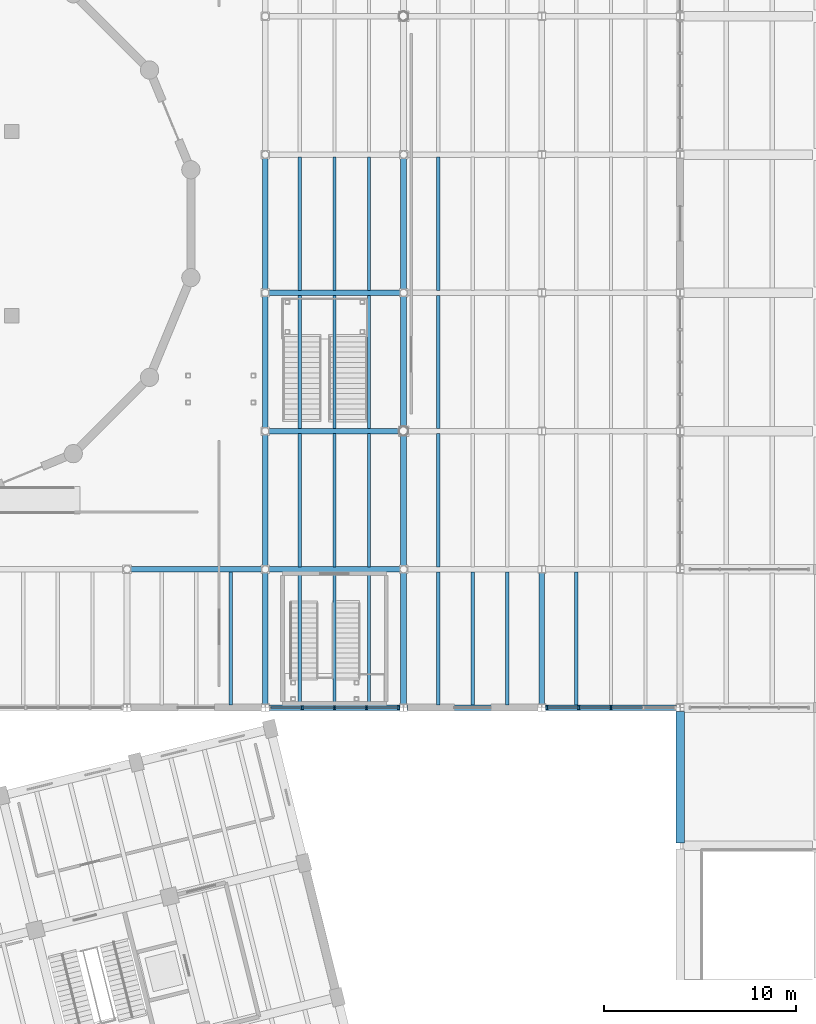
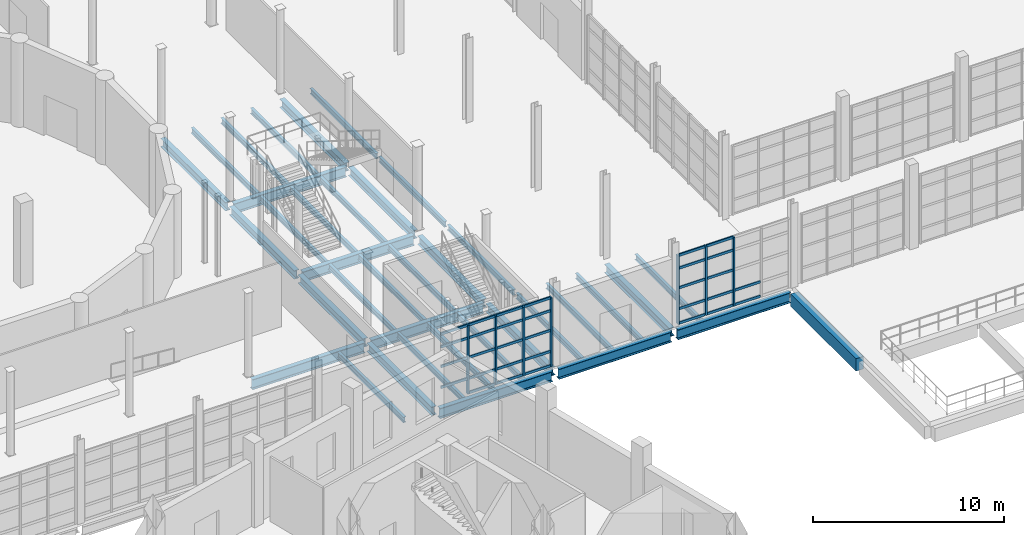
# One storey, part 26 of 79: 38 members, 37 beams, 2 elements without a shape of their own.
"""IFC4 building model written with IfcOpenShell, lengths in metres."""

from ifc_helpers import new_model, si_unit, direction, frame, origin, origin_2d, place, context, subcontext, project, spatial, rectangle, i_section, extrude, material, material_profile, profile_set, type_object, element, aggregate, save


model = new_model("IFC4")

# Units and contexts
model_context = context("Model", 3, precision=1e-05, world=origin(), true_north=direction((0.0, 1.0)))
body_context = subcontext(model_context, "Body", "Model", "MODEL_VIEW")
ifc_project = project(units=[si_unit("LENGTHUNIT", "METRE"), si_unit("AREAUNIT", "SQUARE_METRE"), si_unit("VOLUMEUNIT", "CUBIC_METRE"), si_unit("PLANEANGLEUNIT", "RADIAN"), si_unit("MASSUNIT", "GRAM", prefix="KILO")], contexts=[model_context])

# Site, building, storey
site_placement = place(None, origin())
site = spatial("IfcSite", under=ifc_project, at=site_placement, CompositionType="ELEMENT")
building_placement = place(site_placement, origin())
building = spatial("IfcBuilding", under=site, at=building_placement, Name="Qiaolan Assembly House", CompositionType="ELEMENT")
storey_placement = place(building_placement, origin())
storey = spatial("IfcBuildingStorey", under=building, at=storey_placement, Name="L00", CompositionType="ELEMENT", Elevation=0.0)

# Beams
ifc_material_1 = material(Name="Concrete C40/50", Category="concrete")
ifc_material_profile_1 = material_profile(ifc_material_1, rectangle(XDim=0.449951171875, YDim=0.800048828125, at=origin_2d()), Name="RCB 450x800")
ifc_profile_set_1 = profile_set([ifc_material_profile_1], Name="Concrete C40/50")
beam_type_1 = type_object("IfcBeamType", Name="BM-RC-450x800", PredefinedType="BEAM", material=ifc_profile_set_1)
beam_1_placement = place(storey_placement, frame((108.0, 28.9599609375, -0.739990234375), z_axis=(0.0, 1.0, 0.0), x_axis=(-1.0, 0.0, 0.0)))
element("IfcBeam", 1, at=beam_1_placement, inside=storey, type_object=beam_type_1, Name="GB-03 beam BMY-APR0-L00-00-01", PredefinedType="BEAM", context=body_context, shape_type="SweptSolid", body=[
    extrude(rectangle(XDim=0.449951171875, YDim=0.800048828125, at=origin_2d()), origin(), (0.0, 0.0, 1.0), 6.85009765625),
])
ifc_material_2 = material(Name="Steel Q355B", Category="steel")
ifc_material_profile_2 = material_profile(ifc_material_2, i_section(OverallWidth=0.300048828125, OverallDepth=0.5400390625, WebThickness=0.010986328125, FlangeThickness=0.01806640625, FilletRadius=0.02001953125, at=origin_2d()), Name="HM 540x300x11x18")
ifc_profile_set_2 = profile_set([ifc_material_profile_2], Name="Steel Q355B")
beam_type_2 = type_object("IfcBeamType", Name="BM-STL-HM540", PredefinedType="BEAM", material=ifc_profile_set_2)
beam_2_placement = place(storey_placement, frame((86.39990234375, 36.18994140625, -0.570068359375), z_axis=(0.0, 1.0, 0.0), x_axis=(-1.0, 0.0, 0.0)))
element("IfcBeam", 2, at=beam_2_placement, inside=storey, type_object=beam_type_2, Name="SB-12 beam BMY-HL-L00-09-00", PredefinedType="BEAM", context=body_context, shape_type="SweptSolid", body=[
    extrude(i_section(OverallWidth=0.300048828125, OverallDepth=0.5400390625, WebThickness=0.010986328125, FlangeThickness=0.01806640625, FilletRadius=0.02001953125, at=origin_2d()), origin(), (0.0, 0.0, 1.0), 6.81689453125),
])
for number, where, z_axis, x_axis, name in (
    (3, (86.39990234375, 43.393310546875, -0.570068359375), (0.0, 1.0, 0.0), (-1.0, 0.0, 0.0), "SB-12 beam BMY-HL-L00-09-01"),
    (4, (86.39990234375, 50.59326171875, -0.570068359375), (0.0, 1.0, 0.0), (-1.0, 0.0, 0.0), "SB-12 beam BMY-HL-L00-09-02"),
    (5, (86.39990234375, 57.793212890625, -0.570068359375), (0.0, 1.0, 0.0), (-1.0, 0.0, 0.0), "SB-12 beam BMY-HL-L00-09-03"),
):
    element("IfcBeam", number, at=place(storey_placement, frame(where, z_axis=z_axis, x_axis=x_axis)), inside=storey, type_object=beam_type_2, Name=name, PredefinedType="BEAM", context=body_context, shape_type="SweptSolid", body=[
        extrude(i_section(OverallWidth=0.300048828125, OverallDepth=0.5400390625, WebThickness=0.010986328125, FlangeThickness=0.01806640625, FilletRadius=0.02001953125, at=origin_2d()), origin(), (0.0, 0.0, 1.0), 6.8134765625),
    ])
beam_3_placement = place(storey_placement, frame((93.60009765625, 36.18994140625, -0.570068359375), z_axis=(0.0, 1.0, 0.0), x_axis=(-1.0, 0.0, 0.0)))
element("IfcBeam", 6, at=beam_3_placement, inside=storey, type_object=beam_type_2, Name="SB-12 beam BMY-HL-L00-10-00", PredefinedType="BEAM", context=body_context, shape_type="SweptSolid", body=[
    extrude(i_section(OverallWidth=0.300048828125, OverallDepth=0.5400390625, WebThickness=0.010986328125, FlangeThickness=0.01806640625, FilletRadius=0.02001953125, at=origin_2d()), origin(), (0.0, 0.0, 1.0), 6.81689453125),
])
for number, where, z_axis, x_axis, name in (
    (7, (93.60009765625, 43.393310546875, -0.570068359375), (0.0, 1.0, 0.0), (-1.0, 0.0, 0.0), "SB-12 beam BMY-HL-L00-10-01"),
    (8, (93.60009765625, 50.64404296875, -0.570068359375), (0.0, 1.0, 0.0), (-1.0, 0.0, 0.0), "SB-12 beam BMY-HL-L00-10-02"),
):
    element("IfcBeam", number, at=place(storey_placement, frame(where, z_axis=z_axis, x_axis=x_axis)), inside=storey, type_object=beam_type_2, Name=name, PredefinedType="BEAM", context=body_context, shape_type="SweptSolid", body=[
        extrude(i_section(OverallWidth=0.300048828125, OverallDepth=0.5400390625, WebThickness=0.010986328125, FlangeThickness=0.01806640625, FilletRadius=0.02001953125, at=origin_2d()), origin(), (0.0, 0.0, 1.0), 6.7626953125),
    ])
beam_4_placement = place(storey_placement, frame((93.60009765625, 57.793212890625, -0.570068359375), z_axis=(0.0, 1.0, 0.0), x_axis=(-1.0, 0.0, 0.0)))
element("IfcBeam", 9, at=beam_4_placement, inside=storey, type_object=beam_type_2, Name="SB-12 beam BMY-HL-L00-10-03", PredefinedType="BEAM", context=body_context, shape_type="SweptSolid", body=[
    extrude(i_section(OverallWidth=0.300048828125, OverallDepth=0.5400390625, WebThickness=0.010986328125, FlangeThickness=0.01806640625, FilletRadius=0.02001953125, at=origin_2d()), origin(), (0.0, 0.0, 1.0), 6.8134765625),
])
beam_5_placement = place(storey_placement, frame((100.800048828125, 36.18994140625, -0.570068359375), z_axis=(0.0, 1.0, 0.0), x_axis=(-1.0, 0.0, 0.0)))
element("IfcBeam", 10, at=beam_5_placement, inside=storey, type_object=beam_type_2, Name="SB-12 beam BMY-HL-L00-11-00", PredefinedType="BEAM", context=body_context, shape_type="SweptSolid", body=[
    extrude(i_section(OverallWidth=0.300048828125, OverallDepth=0.5400390625, WebThickness=0.010986328125, FlangeThickness=0.01806640625, FilletRadius=0.02001953125, at=origin_2d()), origin(), (0.0, 0.0, 1.0), 6.820068359375),
])
ifc_material_profile_3 = material_profile(ifc_material_2, i_section(OverallWidth=0.280029296875, OverallDepth=0.64990234375, WebThickness=0.011962890625, FlangeThickness=0.02197265625, FilletRadius=0.02197265625, at=origin_2d()), Name="HN 650x280x12x22")
ifc_profile_set_3 = profile_set([ifc_material_profile_3], Name="Steel Q355B")
beam_type_3 = type_object("IfcBeamType", Name="BM-STL-HN650", PredefinedType="BEAM", material=ifc_profile_set_3)
beam_6_placement = place(storey_placement, frame((86.590087890625, 36.0, -0.625), z_axis=(1.0, 0.0, 0.0), x_axis=(0.0, 1.0, 0.0)))
element("IfcBeam", 11, at=beam_6_placement, inside=storey, type_object=beam_type_3, Name="SB-10 beam BMX-HL-L00-09-00", PredefinedType="BEAM", context=body_context, shape_type="SweptSolid", body=[
    extrude(i_section(OverallWidth=0.280029296875, OverallDepth=0.64990234375, WebThickness=0.011962890625, FlangeThickness=0.02197265625, FilletRadius=0.02197265625, at=origin_2d()), origin(), (0.0, 0.0, 1.0), 6.81982421875),
])
for number, where, z_axis, x_axis, name in (
    (12, (93.7900390625, 36.0, -0.625), (1.0, 0.0, 0.0), (0.0, 1.0, 0.0), "SB-10 beam BMX-HL-L00-10-00"),
    (13, (100.989990234375, 36.0, -0.625), (1.0, 0.0, 0.0), (0.0, 1.0, 0.0), "SB-10 beam BMX-HL-L00-11-00"),
):
    element("IfcBeam", number, at=place(storey_placement, frame(where, z_axis=z_axis, x_axis=x_axis)), inside=storey, type_object=beam_type_3, Name=name, PredefinedType="BEAM", context=body_context, shape_type="SweptSolid", body=[
        extrude(i_section(OverallWidth=0.280029296875, OverallDepth=0.64990234375, WebThickness=0.011962890625, FlangeThickness=0.02197265625, FilletRadius=0.02197265625, at=origin_2d()), origin(), (0.0, 0.0, 1.0), 6.820068359375),
    ])
for number, where, z_axis, x_axis, name in (
    (14, (79.393310546875, 43.199951171875, -0.625), (1.0, 0.0, 0.0), (0.0, 1.0, 0.0), "SB-10 beam BMX-HL-L00-08-01"),
    (15, (86.59326171875, 43.199951171875, -0.625), (1.0, 0.0, 0.0), (0.0, 1.0, 0.0), "SB-10 beam BMX-HL-L00-09-01"),
):
    element("IfcBeam", number, at=place(storey_placement, frame(where, z_axis=z_axis, x_axis=x_axis)), inside=storey, type_object=beam_type_3, Name=name, PredefinedType="BEAM", context=body_context, shape_type="SweptSolid", body=[
        extrude(i_section(OverallWidth=0.280029296875, OverallDepth=0.64990234375, WebThickness=0.011962890625, FlangeThickness=0.02197265625, FilletRadius=0.02197265625, at=origin_2d()), origin(), (0.0, 0.0, 1.0), 6.8134765625),
    ])
beam_7_placement = place(storey_placement, frame((86.59326171875, 50.39990234375, -0.625), z_axis=(1.0, 0.0, 0.0), x_axis=(0.0, 1.0, 0.0)))
element("IfcBeam", 16, at=beam_7_placement, inside=storey, type_object=beam_type_3, Name="SB-10 beam BMX-HL-L00-09-02", PredefinedType="BEAM", context=body_context, shape_type="SweptSolid", body=[
    extrude(i_section(OverallWidth=0.280029296875, OverallDepth=0.64990234375, WebThickness=0.011962890625, FlangeThickness=0.02197265625, FilletRadius=0.02197265625, at=origin_2d()), origin(), (0.0, 0.0, 1.0), 6.7626953125),
])
beam_8_placement = place(storey_placement, frame((86.59326171875, 57.60009765625, -0.625), z_axis=(1.0, 0.0, 0.0), x_axis=(0.0, 1.0, 0.0)))
element("IfcBeam", 17, at=beam_8_placement, inside=storey, type_object=beam_type_3, Name="SB-10 beam BMX-HL-L00-09-03", PredefinedType="BEAM", context=body_context, shape_type="SweptSolid", body=[
    extrude(i_section(OverallWidth=0.280029296875, OverallDepth=0.64990234375, WebThickness=0.011962890625, FlangeThickness=0.02197265625, FilletRadius=0.02197265625, at=origin_2d()), origin(), (0.0, 0.0, 1.0), 6.8134765625),
])

# Curtain wall, members
ifc_material_3 = material(Name="Anodised bronze aluminium", Category="aluminium")
curtain_wall_type = type_object("IfcCurtainWallType", Name="CW-HALL-MAIN-540", PredefinedType="NOTDEFINED", material=ifc_material_3)
curtain_wall_1_placement = place(storey_placement, origin())
curtain_wall_1 = element("IfcCurtainWall", 18, at=curtain_wall_1_placement, inside=storey, type_object=curtain_wall_type, Name="CW-01 Hall South plaza curtain wall L00-9", PredefinedType="NOTDEFINED")
ifc_material_profile_4 = material_profile(ifc_material_3, rectangle(XDim=0.092041015625, YDim=0.219970703125, at=origin_2d()), Name="MUL 92x220")
ifc_profile_set_4 = profile_set([ifc_material_profile_4], Name="Anodised bronze aluminium")
member_type_1 = type_object("IfcMemberType", Name="CW-HALL-MAIN-540-MUL", PredefinedType="MULLION", material=ifc_profile_set_4)
member_1_placement = place(storey_placement, frame((88.324951171875, 36.0, 0.0), z_axis=(0.0, 0.0, 1.0), x_axis=(1.0, 0.0, 0.0)))
member_1 = element("IfcMember", 19, at=member_1_placement, type_object=member_type_1, Name="ML-01 mullion CW-HALL-S-L00-08-2", PredefinedType="MULLION", context=body_context, shape_type="SweptSolid", body=[
    extrude(rectangle(XDim=0.092041015625, YDim=0.219970703125, at=origin_2d()), origin(), (0.0, 0.0, 1.0), 4.39990234375),
])
member_2_placement = place(storey_placement, frame((90.0, 36.0, 0.0), z_axis=(0.0, 0.0, 1.0), x_axis=(1.0, 0.0, 0.0)))
member_2 = element("IfcMember", 20, at=member_2_placement, type_object=member_type_1, Name="ML-01 mullion CW-HALL-S-L00-08-3", PredefinedType="MULLION", context=body_context, shape_type="SweptSolid", body=[
    extrude(rectangle(XDim=0.092041015625, YDim=0.219970703125, at=origin_2d()), origin(), (0.0, 0.0, 1.0), 4.39990234375),
])
member_3_placement = place(storey_placement, frame((91.675048828125, 36.0, 0.0), z_axis=(0.0, 0.0, 1.0), x_axis=(1.0, 0.0, 0.0)))
member_3 = element("IfcMember", 21, at=member_3_placement, type_object=member_type_1, Name="ML-01 mullion CW-HALL-S-L00-08-4", PredefinedType="MULLION", context=body_context, shape_type="SweptSolid", body=[
    extrude(rectangle(XDim=0.092041015625, YDim=0.219970703125, at=origin_2d()), origin(), (0.0, 0.0, 1.0), 4.39990234375),
])
member_4_placement = place(storey_placement, frame((93.35009765625, 36.0, 0.0), z_axis=(0.0, 0.0, 1.0), x_axis=(1.0, 0.0, 0.0)))
member_4 = element("IfcMember", 22, at=member_4_placement, type_object=member_type_1, Name="ML-01 mullion CW-HALL-S-L00-08-5", PredefinedType="MULLION", context=body_context, shape_type="SweptSolid", body=[
    extrude(rectangle(XDim=0.092041015625, YDim=0.219970703125, at=origin_2d()), origin(), (0.0, 0.0, 1.0), 4.39990234375),
])

curtain_wall_2_placement = place(storey_placement, origin())
curtain_wall_2 = element("IfcCurtainWall", 23, at=curtain_wall_2_placement, inside=storey, type_object=curtain_wall_type, Name="CW-01 Hall South plaza curtain wall L00-11", PredefinedType="NOTDEFINED")
member_5_placement = place(storey_placement, frame((101.050048828125, 36.0, 0.0), z_axis=(0.0, 0.0, 1.0), x_axis=(1.0, 0.0, 0.0)))
member_5 = element("IfcMember", 24, at=member_5_placement, type_object=member_type_1, Name="ML-01 mullion CW-HALL-S-L00-10-1", PredefinedType="MULLION", context=body_context, shape_type="SweptSolid", body=[
    extrude(rectangle(XDim=0.092041015625, YDim=0.219970703125, at=origin_2d()), origin(), (0.0, 0.0, 1.0), 4.39990234375),
])
member_6_placement = place(storey_placement, frame((102.72509765625, 36.0, 0.0), z_axis=(0.0, 0.0, 1.0), x_axis=(1.0, 0.0, 0.0)))
member_6 = element("IfcMember", 25, at=member_6_placement, type_object=member_type_1, Name="ML-01 mullion CW-HALL-S-L00-10-2", PredefinedType="MULLION", context=body_context, shape_type="SweptSolid", body=[
    extrude(rectangle(XDim=0.092041015625, YDim=0.219970703125, at=origin_2d()), origin(), (0.0, 0.0, 1.0), 4.39990234375),
])
member_7_placement = place(storey_placement, frame((104.39990234375, 36.0, 0.0), z_axis=(0.0, 0.0, 1.0), x_axis=(1.0, 0.0, 0.0)))
member_7 = element("IfcMember", 26, at=member_7_placement, type_object=member_type_1, Name="ML-01 mullion CW-HALL-S-L00-10-3", PredefinedType="MULLION", context=body_context, shape_type="SweptSolid", body=[
    extrude(rectangle(XDim=0.092041015625, YDim=0.219970703125, at=origin_2d()), origin(), (0.0, 0.0, 1.0), 4.39990234375),
])

# Member
ifc_material_profile_5 = material_profile(ifc_material_3, rectangle(XDim=0.08203125, YDim=0.159912109375, at=origin_2d()), Name="TRN 82x160")
ifc_profile_set_5 = profile_set([ifc_material_profile_5], Name="Anodised bronze aluminium")
member_type_2 = type_object("IfcMemberType", Name="CW-HALL-MAIN-540-TRN", PredefinedType="USERDEFINED", material=ifc_profile_set_5)
member_8_placement = place(storey_placement, frame((86.696044921875, 36.0, 0.949951171875), z_axis=(1.0, 0.0, 0.0), x_axis=(0.0, 1.0, 0.0)))
member_8 = element("IfcMember", 27, at=member_8_placement, type_object=member_type_2, Name="TR-01 transom CW-HALL-S-L00-08-1-2", ObjectType="TRANSOM", PredefinedType="USERDEFINED", context=body_context, shape_type="SweptSolid", body=[
    extrude(rectangle(XDim=0.08203125, YDim=0.159912109375, at=origin_2d()), origin(), (0.0, 0.0, 1.0), 1.5830078125),
])

member_9_placement = place(storey_placement, frame((86.696044921875, 36.0, 2.2880859375), z_axis=(1.0, 0.0, 0.0), x_axis=(0.0, 1.0, 0.0)))
member_9 = element("IfcMember", 28, at=member_9_placement, type_object=member_type_2, Name="TR-01 transom CW-HALL-S-L00-08-1-3", ObjectType="TRANSOM", PredefinedType="USERDEFINED", context=body_context, shape_type="SweptSolid", body=[
    extrude(rectangle(XDim=0.08203125, YDim=0.159912109375, at=origin_2d()), origin(), (0.0, 0.0, 1.0), 1.5830078125),
])

member_10_placement = place(storey_placement, frame((86.696044921875, 36.0, 3.550048828125), z_axis=(1.0, 0.0, 0.0), x_axis=(0.0, 1.0, 0.0)))
member_10 = element("IfcMember", 29, at=member_10_placement, type_object=member_type_2, Name="TR-01 transom CW-HALL-S-L00-08-1-4", ObjectType="TRANSOM", PredefinedType="USERDEFINED", context=body_context, shape_type="SweptSolid", body=[
    extrude(rectangle(XDim=0.08203125, YDim=0.159912109375, at=origin_2d()), origin(), (0.0, 0.0, 1.0), 1.5830078125),
])

member_11_placement = place(storey_placement, frame((86.696044921875, 36.0, 4.3701171875), z_axis=(1.0, 0.0, 0.0), x_axis=(0.0, 1.0, 0.0)))
member_11 = element("IfcMember", 30, at=member_11_placement, type_object=member_type_2, Name="TR-01 transom CW-HALL-S-L00-08-1-5", ObjectType="TRANSOM", PredefinedType="USERDEFINED", context=body_context, shape_type="SweptSolid", body=[
    extrude(rectangle(XDim=0.08203125, YDim=0.159912109375, at=origin_2d()), origin(), (0.0, 0.0, 1.0), 1.5830078125),
])

member_12_placement = place(storey_placement, frame((88.37109375, 36.0, 0.030029296875), z_axis=(1.0, 0.0, 0.0), x_axis=(0.0, 1.0, 0.0)))
member_12 = element("IfcMember", 31, at=member_12_placement, type_object=member_type_2, Name="TR-01 transom CW-HALL-S-L00-08-2-1", ObjectType="TRANSOM", PredefinedType="USERDEFINED", context=body_context, shape_type="SweptSolid", body=[
    extrude(rectangle(XDim=0.08203125, YDim=0.159912109375, at=origin_2d()), origin(), (0.0, 0.0, 1.0), 1.5830078125),
])

member_13_placement = place(storey_placement, frame((88.37109375, 36.0, 0.949951171875), z_axis=(1.0, 0.0, 0.0), x_axis=(0.0, 1.0, 0.0)))
member_13 = element("IfcMember", 32, at=member_13_placement, type_object=member_type_2, Name="TR-01 transom CW-HALL-S-L00-08-2-2", ObjectType="TRANSOM", PredefinedType="USERDEFINED", context=body_context, shape_type="SweptSolid", body=[
    extrude(rectangle(XDim=0.08203125, YDim=0.159912109375, at=origin_2d()), origin(), (0.0, 0.0, 1.0), 1.5830078125),
])

member_14_placement = place(storey_placement, frame((88.37109375, 36.0, 2.2880859375), z_axis=(1.0, 0.0, 0.0), x_axis=(0.0, 1.0, 0.0)))
member_14 = element("IfcMember", 33, at=member_14_placement, type_object=member_type_2, Name="TR-01 transom CW-HALL-S-L00-08-2-3", ObjectType="TRANSOM", PredefinedType="USERDEFINED", context=body_context, shape_type="SweptSolid", body=[
    extrude(rectangle(XDim=0.08203125, YDim=0.159912109375, at=origin_2d()), origin(), (0.0, 0.0, 1.0), 1.5830078125),
])

member_15_placement = place(storey_placement, frame((88.37109375, 36.0, 3.550048828125), z_axis=(1.0, 0.0, 0.0), x_axis=(0.0, 1.0, 0.0)))
member_15 = element("IfcMember", 34, at=member_15_placement, type_object=member_type_2, Name="TR-01 transom CW-HALL-S-L00-08-2-4", ObjectType="TRANSOM", PredefinedType="USERDEFINED", context=body_context, shape_type="SweptSolid", body=[
    extrude(rectangle(XDim=0.08203125, YDim=0.159912109375, at=origin_2d()), origin(), (0.0, 0.0, 1.0), 1.5830078125),
])

member_16_placement = place(storey_placement, frame((88.37109375, 36.0, 4.3701171875), z_axis=(1.0, 0.0, 0.0), x_axis=(0.0, 1.0, 0.0)))
member_16 = element("IfcMember", 35, at=member_16_placement, type_object=member_type_2, Name="TR-01 transom CW-HALL-S-L00-08-2-5", ObjectType="TRANSOM", PredefinedType="USERDEFINED", context=body_context, shape_type="SweptSolid", body=[
    extrude(rectangle(XDim=0.08203125, YDim=0.159912109375, at=origin_2d()), origin(), (0.0, 0.0, 1.0), 1.5830078125),
])

member_17_placement = place(storey_placement, frame((90.0458984375, 36.0, 0.030029296875), z_axis=(1.0, 0.0, 0.0), x_axis=(0.0, 1.0, 0.0)))
member_17 = element("IfcMember", 36, at=member_17_placement, type_object=member_type_2, Name="TR-01 transom CW-HALL-S-L00-08-3-1", ObjectType="TRANSOM", PredefinedType="USERDEFINED", context=body_context, shape_type="SweptSolid", body=[
    extrude(rectangle(XDim=0.08203125, YDim=0.159912109375, at=origin_2d()), origin(), (0.0, 0.0, 1.0), 1.5830078125),
])

member_18_placement = place(storey_placement, frame((90.0458984375, 36.0, 0.949951171875), z_axis=(1.0, 0.0, 0.0), x_axis=(0.0, 1.0, 0.0)))
member_18 = element("IfcMember", 37, at=member_18_placement, type_object=member_type_2, Name="TR-01 transom CW-HALL-S-L00-08-3-2", ObjectType="TRANSOM", PredefinedType="USERDEFINED", context=body_context, shape_type="SweptSolid", body=[
    extrude(rectangle(XDim=0.08203125, YDim=0.159912109375, at=origin_2d()), origin(), (0.0, 0.0, 1.0), 1.5830078125),
])

member_19_placement = place(storey_placement, frame((90.0458984375, 36.0, 2.2880859375), z_axis=(1.0, 0.0, 0.0), x_axis=(0.0, 1.0, 0.0)))
member_19 = element("IfcMember", 38, at=member_19_placement, type_object=member_type_2, Name="TR-01 transom CW-HALL-S-L00-08-3-3", ObjectType="TRANSOM", PredefinedType="USERDEFINED", context=body_context, shape_type="SweptSolid", body=[
    extrude(rectangle(XDim=0.08203125, YDim=0.159912109375, at=origin_2d()), origin(), (0.0, 0.0, 1.0), 1.5830078125),
])

member_20_placement = place(storey_placement, frame((90.0458984375, 36.0, 3.550048828125), z_axis=(1.0, 0.0, 0.0), x_axis=(0.0, 1.0, 0.0)))
member_20 = element("IfcMember", 39, at=member_20_placement, type_object=member_type_2, Name="TR-01 transom CW-HALL-S-L00-08-3-4", ObjectType="TRANSOM", PredefinedType="USERDEFINED", context=body_context, shape_type="SweptSolid", body=[
    extrude(rectangle(XDim=0.08203125, YDim=0.159912109375, at=origin_2d()), origin(), (0.0, 0.0, 1.0), 1.5830078125),
])

member_21_placement = place(storey_placement, frame((90.0458984375, 36.0, 4.3701171875), z_axis=(1.0, 0.0, 0.0), x_axis=(0.0, 1.0, 0.0)))
member_21 = element("IfcMember", 40, at=member_21_placement, type_object=member_type_2, Name="TR-01 transom CW-HALL-S-L00-08-3-5", ObjectType="TRANSOM", PredefinedType="USERDEFINED", context=body_context, shape_type="SweptSolid", body=[
    extrude(rectangle(XDim=0.08203125, YDim=0.159912109375, at=origin_2d()), origin(), (0.0, 0.0, 1.0), 1.5830078125),
])

member_22_placement = place(storey_placement, frame((91.720947265625, 36.0, 0.030029296875), z_axis=(1.0, 0.0, 0.0), x_axis=(0.0, 1.0, 0.0)))
member_22 = element("IfcMember", 41, at=member_22_placement, type_object=member_type_2, Name="TR-01 transom CW-HALL-S-L00-08-4-1", ObjectType="TRANSOM", PredefinedType="USERDEFINED", context=body_context, shape_type="SweptSolid", body=[
    extrude(rectangle(XDim=0.08203125, YDim=0.159912109375, at=origin_2d()), origin(), (0.0, 0.0, 1.0), 1.5830078125),
])

member_23_placement = place(storey_placement, frame((91.720947265625, 36.0, 0.949951171875), z_axis=(1.0, 0.0, 0.0), x_axis=(0.0, 1.0, 0.0)))
member_23 = element("IfcMember", 42, at=member_23_placement, type_object=member_type_2, Name="TR-01 transom CW-HALL-S-L00-08-4-2", ObjectType="TRANSOM", PredefinedType="USERDEFINED", context=body_context, shape_type="SweptSolid", body=[
    extrude(rectangle(XDim=0.08203125, YDim=0.159912109375, at=origin_2d()), origin(), (0.0, 0.0, 1.0), 1.5830078125),
])

member_24_placement = place(storey_placement, frame((91.720947265625, 36.0, 2.2880859375), z_axis=(1.0, 0.0, 0.0), x_axis=(0.0, 1.0, 0.0)))
member_24 = element("IfcMember", 43, at=member_24_placement, type_object=member_type_2, Name="TR-01 transom CW-HALL-S-L00-08-4-3", ObjectType="TRANSOM", PredefinedType="USERDEFINED", context=body_context, shape_type="SweptSolid", body=[
    extrude(rectangle(XDim=0.08203125, YDim=0.159912109375, at=origin_2d()), origin(), (0.0, 0.0, 1.0), 1.5830078125),
])

member_25_placement = place(storey_placement, frame((91.720947265625, 36.0, 3.550048828125), z_axis=(1.0, 0.0, 0.0), x_axis=(0.0, 1.0, 0.0)))
member_25 = element("IfcMember", 44, at=member_25_placement, type_object=member_type_2, Name="TR-01 transom CW-HALL-S-L00-08-4-4", ObjectType="TRANSOM", PredefinedType="USERDEFINED", context=body_context, shape_type="SweptSolid", body=[
    extrude(rectangle(XDim=0.08203125, YDim=0.159912109375, at=origin_2d()), origin(), (0.0, 0.0, 1.0), 1.5830078125),
])

member_26_placement = place(storey_placement, frame((91.720947265625, 36.0, 4.3701171875), z_axis=(1.0, 0.0, 0.0), x_axis=(0.0, 1.0, 0.0)))
member_26 = element("IfcMember", 45, at=member_26_placement, type_object=member_type_2, Name="TR-01 transom CW-HALL-S-L00-08-4-5", ObjectType="TRANSOM", PredefinedType="USERDEFINED", context=body_context, shape_type="SweptSolid", body=[
    extrude(rectangle(XDim=0.08203125, YDim=0.159912109375, at=origin_2d()), origin(), (0.0, 0.0, 1.0), 1.5830078125),
])

aggregate(curtain_wall_1, [member_1, member_2, member_3, member_4, member_8, member_9, member_10, member_11, member_12, member_13, member_14, member_15, member_16, member_17, member_18, member_19, member_20, member_21, member_22, member_23, member_24, member_25, member_26])

member_27_placement = place(storey_placement, frame((101.095947265625, 36.0, 0.030029296875), z_axis=(1.0, 0.0, 0.0), x_axis=(0.0, 1.0, 0.0)))
member_27 = element("IfcMember", 46, at=member_27_placement, type_object=member_type_2, Name="TR-01 transom CW-HALL-S-L00-10-1-1", ObjectType="TRANSOM", PredefinedType="USERDEFINED", context=body_context, shape_type="SweptSolid", body=[
    extrude(rectangle(XDim=0.08203125, YDim=0.159912109375, at=origin_2d()), origin(), (0.0, 0.0, 1.0), 1.5830078125),
])

member_28_placement = place(storey_placement, frame((101.095947265625, 36.0, 0.949951171875), z_axis=(1.0, 0.0, 0.0), x_axis=(0.0, 1.0, 0.0)))
member_28 = element("IfcMember", 47, at=member_28_placement, type_object=member_type_2, Name="TR-01 transom CW-HALL-S-L00-10-1-2", ObjectType="TRANSOM", PredefinedType="USERDEFINED", context=body_context, shape_type="SweptSolid", body=[
    extrude(rectangle(XDim=0.08203125, YDim=0.159912109375, at=origin_2d()), origin(), (0.0, 0.0, 1.0), 1.5830078125),
])

member_29_placement = place(storey_placement, frame((101.095947265625, 36.0, 2.2880859375), z_axis=(1.0, 0.0, 0.0), x_axis=(0.0, 1.0, 0.0)))
member_29 = element("IfcMember", 48, at=member_29_placement, type_object=member_type_2, Name="TR-01 transom CW-HALL-S-L00-10-1-3", ObjectType="TRANSOM", PredefinedType="USERDEFINED", context=body_context, shape_type="SweptSolid", body=[
    extrude(rectangle(XDim=0.08203125, YDim=0.159912109375, at=origin_2d()), origin(), (0.0, 0.0, 1.0), 1.5830078125),
])

member_30_placement = place(storey_placement, frame((101.095947265625, 36.0, 3.550048828125), z_axis=(1.0, 0.0, 0.0), x_axis=(0.0, 1.0, 0.0)))
member_30 = element("IfcMember", 49, at=member_30_placement, type_object=member_type_2, Name="TR-01 transom CW-HALL-S-L00-10-1-4", ObjectType="TRANSOM", PredefinedType="USERDEFINED", context=body_context, shape_type="SweptSolid", body=[
    extrude(rectangle(XDim=0.08203125, YDim=0.159912109375, at=origin_2d()), origin(), (0.0, 0.0, 1.0), 1.5830078125),
])

member_31_placement = place(storey_placement, frame((101.095947265625, 36.0, 4.3701171875), z_axis=(1.0, 0.0, 0.0), x_axis=(0.0, 1.0, 0.0)))
member_31 = element("IfcMember", 50, at=member_31_placement, type_object=member_type_2, Name="TR-01 transom CW-HALL-S-L00-10-1-5", ObjectType="TRANSOM", PredefinedType="USERDEFINED", context=body_context, shape_type="SweptSolid", body=[
    extrude(rectangle(XDim=0.08203125, YDim=0.159912109375, at=origin_2d()), origin(), (0.0, 0.0, 1.0), 1.5830078125),
])

member_32_placement = place(storey_placement, frame((102.77099609375, 36.0, 0.030029296875), z_axis=(1.0, 0.0, 0.0), x_axis=(0.0, 1.0, 0.0)))
member_32 = element("IfcMember", 51, at=member_32_placement, type_object=member_type_2, Name="TR-01 transom CW-HALL-S-L00-10-2-1", ObjectType="TRANSOM", PredefinedType="USERDEFINED", context=body_context, shape_type="SweptSolid", body=[
    extrude(rectangle(XDim=0.08203125, YDim=0.159912109375, at=origin_2d()), origin(), (0.0, 0.0, 1.0), 1.5830078125),
])

member_33_placement = place(storey_placement, frame((102.77099609375, 36.0, 0.949951171875), z_axis=(1.0, 0.0, 0.0), x_axis=(0.0, 1.0, 0.0)))
member_33 = element("IfcMember", 52, at=member_33_placement, type_object=member_type_2, Name="TR-01 transom CW-HALL-S-L00-10-2-2", ObjectType="TRANSOM", PredefinedType="USERDEFINED", context=body_context, shape_type="SweptSolid", body=[
    extrude(rectangle(XDim=0.08203125, YDim=0.159912109375, at=origin_2d()), origin(), (0.0, 0.0, 1.0), 1.5830078125),
])

member_34_placement = place(storey_placement, frame((102.77099609375, 36.0, 2.2880859375), z_axis=(1.0, 0.0, 0.0), x_axis=(0.0, 1.0, 0.0)))
member_34 = element("IfcMember", 53, at=member_34_placement, type_object=member_type_2, Name="TR-01 transom CW-HALL-S-L00-10-2-3", ObjectType="TRANSOM", PredefinedType="USERDEFINED", context=body_context, shape_type="SweptSolid", body=[
    extrude(rectangle(XDim=0.08203125, YDim=0.159912109375, at=origin_2d()), origin(), (0.0, 0.0, 1.0), 1.5830078125),
])

member_35_placement = place(storey_placement, frame((102.77099609375, 36.0, 3.550048828125), z_axis=(1.0, 0.0, 0.0), x_axis=(0.0, 1.0, 0.0)))
member_35 = element("IfcMember", 54, at=member_35_placement, type_object=member_type_2, Name="TR-01 transom CW-HALL-S-L00-10-2-4", ObjectType="TRANSOM", PredefinedType="USERDEFINED", context=body_context, shape_type="SweptSolid", body=[
    extrude(rectangle(XDim=0.08203125, YDim=0.159912109375, at=origin_2d()), origin(), (0.0, 0.0, 1.0), 1.5830078125),
])

member_36_placement = place(storey_placement, frame((102.77099609375, 36.0, 4.3701171875), z_axis=(1.0, 0.0, 0.0), x_axis=(0.0, 1.0, 0.0)))
member_36 = element("IfcMember", 55, at=member_36_placement, type_object=member_type_2, Name="TR-01 transom CW-HALL-S-L00-10-2-5", ObjectType="TRANSOM", PredefinedType="USERDEFINED", context=body_context, shape_type="SweptSolid", body=[
    extrude(rectangle(XDim=0.08203125, YDim=0.159912109375, at=origin_2d()), origin(), (0.0, 0.0, 1.0), 1.5830078125),
])

member_37_placement = place(storey_placement, frame((104.446044921875, 36.0, 0.030029296875), z_axis=(1.0, 0.0, 0.0), x_axis=(0.0, 1.0, 0.0)))
member_37 = element("IfcMember", 56, at=member_37_placement, type_object=member_type_2, Name="TR-01 transom CW-HALL-S-L00-10-3-1", ObjectType="TRANSOM", PredefinedType="USERDEFINED", context=body_context, shape_type="SweptSolid", body=[
    extrude(rectangle(XDim=0.08203125, YDim=0.159912109375, at=origin_2d()), origin(), (0.0, 0.0, 1.0), 1.5830078125),
])

member_38_placement = place(storey_placement, frame((104.446044921875, 36.0, 0.949951171875), z_axis=(1.0, 0.0, 0.0), x_axis=(0.0, 1.0, 0.0)))
member_38 = element("IfcMember", 57, at=member_38_placement, type_object=member_type_2, Name="TR-01 transom CW-HALL-S-L00-10-3-2", ObjectType="TRANSOM", PredefinedType="USERDEFINED", context=body_context, shape_type="SweptSolid", body=[
    extrude(rectangle(XDim=0.08203125, YDim=0.159912109375, at=origin_2d()), origin(), (0.0, 0.0, 1.0), 1.5830078125),
])

aggregate(curtain_wall_2, [member_5, member_6, member_7, member_27, member_28, member_29, member_30, member_31, member_32, member_33, member_34, member_35, member_36, member_37, member_38])

# Beams
ifc_material_profile_6 = material_profile(ifc_material_2, i_section(OverallWidth=0.175048828125, OverallDepth=0.35009765625, WebThickness=0.007080078125, FlangeThickness=0.010986328125, FilletRadius=0.013916015625, at=origin_2d()), Name="HN 350x175x7x11")
ifc_profile_set_6 = profile_set([ifc_material_profile_6], Name="Steel Q355B")
beam_type_4 = type_object("IfcBeamType", Name="JST-STL-HN350", PredefinedType="JOIST", material=ifc_profile_set_6)
for number, where, z_axis, x_axis, name in (
    (58, (84.60009765625, 36.134033203125, -0.47509765625), (0.0, 1.0, 0.0), (-1.0, 0.0, 0.0), "SJ-01 beam JST-HL-L00-08-00-3"),
    (59, (88.199951171875, 36.134033203125, -0.47509765625), (0.0, 1.0, 0.0), (-1.0, 0.0, 0.0), "SJ-01 beam JST-HL-L00-09-00-1"),
    (60, (90.0, 36.134033203125, -0.47509765625), (0.0, 1.0, 0.0), (-1.0, 0.0, 0.0), "SJ-01 beam JST-HL-L00-09-00-2"),
    (61, (91.800048828125, 36.134033203125, -0.47509765625), (0.0, 1.0, 0.0), (-1.0, 0.0, 0.0), "SJ-01 beam JST-HL-L00-09-00-3"),
):
    element("IfcBeam", number, at=place(storey_placement, frame(where, z_axis=z_axis, x_axis=x_axis)), inside=storey, type_object=beam_type_4, Name=name, PredefinedType="JOIST", context=body_context, shape_type="SweptSolid", body=[
        extrude(i_section(OverallWidth=0.175048828125, OverallDepth=0.35009765625, WebThickness=0.007080078125, FlangeThickness=0.010986328125, FilletRadius=0.013916015625, at=origin_2d()), origin(), (0.0, 0.0, 1.0), 6.931884765625),
    ])
for number, where, z_axis, x_axis, name in (
    (62, (88.199951171875, 43.333984375, -0.47509765625), (0.0, 1.0, 0.0), (-1.0, 0.0, 0.0), "SJ-01 beam JST-HL-L00-09-01-1"),
    (63, (90.0, 43.333984375, -0.47509765625), (0.0, 1.0, 0.0), (-1.0, 0.0, 0.0), "SJ-01 beam JST-HL-L00-09-01-2"),
    (64, (91.800048828125, 43.333984375, -0.47509765625), (0.0, 1.0, 0.0), (-1.0, 0.0, 0.0), "SJ-01 beam JST-HL-L00-09-01-3"),
    (65, (88.199951171875, 50.533935546875, -0.47509765625), (0.0, 1.0, 0.0), (-1.0, 0.0, 0.0), "SJ-01 beam JST-HL-L00-09-02-1"),
    (66, (90.0, 50.533935546875, -0.47509765625), (0.0, 1.0, 0.0), (-1.0, 0.0, 0.0), "SJ-01 beam JST-HL-L00-09-02-2"),
    (67, (91.800048828125, 50.533935546875, -0.47509765625), (0.0, 1.0, 0.0), (-1.0, 0.0, 0.0), "SJ-01 beam JST-HL-L00-09-02-3"),
    (68, (88.199951171875, 57.73388671875, -0.47509765625), (0.0, 1.0, 0.0), (-1.0, 0.0, 0.0), "SJ-01 beam JST-HL-L00-09-03-1"),
    (69, (90.0, 57.73388671875, -0.47509765625), (0.0, 1.0, 0.0), (-1.0, 0.0, 0.0), "SJ-01 beam JST-HL-L00-09-03-2"),
    (70, (91.800048828125, 57.73388671875, -0.47509765625), (0.0, 1.0, 0.0), (-1.0, 0.0, 0.0), "SJ-01 beam JST-HL-L00-09-03-3"),
):
    element("IfcBeam", number, at=place(storey_placement, frame(where, z_axis=z_axis, x_axis=x_axis)), inside=storey, type_object=beam_type_4, Name=name, PredefinedType="JOIST", context=body_context, shape_type="SweptSolid", body=[
        extrude(i_section(OverallWidth=0.175048828125, OverallDepth=0.35009765625, WebThickness=0.007080078125, FlangeThickness=0.010986328125, FilletRadius=0.013916015625, at=origin_2d()), origin(), (0.0, 0.0, 1.0), 6.93212890625),
    ])
for number, where, z_axis, x_axis, name in (
    (71, (95.39990234375, 36.134033203125, -0.47509765625), (0.0, 1.0, 0.0), (-1.0, 0.0, 0.0), "SJ-01 beam JST-HL-L00-10-00-1"),
    (72, (97.199951171875, 36.134033203125, -0.47509765625), (0.0, 1.0, 0.0), (-1.0, 0.0, 0.0), "SJ-01 beam JST-HL-L00-10-00-2"),
    (73, (99.0, 36.134033203125, -0.47509765625), (0.0, 1.0, 0.0), (-1.0, 0.0, 0.0), "SJ-01 beam JST-HL-L00-10-00-3"),
):
    element("IfcBeam", number, at=place(storey_placement, frame(where, z_axis=z_axis, x_axis=x_axis)), inside=storey, type_object=beam_type_4, Name=name, PredefinedType="JOIST", context=body_context, shape_type="SweptSolid", body=[
        extrude(i_section(OverallWidth=0.175048828125, OverallDepth=0.35009765625, WebThickness=0.007080078125, FlangeThickness=0.010986328125, FilletRadius=0.013916015625, at=origin_2d()), origin(), (0.0, 0.0, 1.0), 6.931884765625),
    ])
for number, where, z_axis, x_axis, name in (
    (74, (95.39990234375, 43.333984375, -0.47509765625), (0.0, 1.0, 0.0), (-1.0, 0.0, 0.0), "SJ-01 beam JST-HL-L00-10-01-1"),
    (75, (95.39990234375, 50.533935546875, -0.47509765625), (0.0, 1.0, 0.0), (-1.0, 0.0, 0.0), "SJ-01 beam JST-HL-L00-10-02-1"),
    (76, (95.39990234375, 57.73388671875, -0.47509765625), (0.0, 1.0, 0.0), (-1.0, 0.0, 0.0), "SJ-01 beam JST-HL-L00-10-03-1"),
):
    element("IfcBeam", number, at=place(storey_placement, frame(where, z_axis=z_axis, x_axis=x_axis)), inside=storey, type_object=beam_type_4, Name=name, PredefinedType="JOIST", context=body_context, shape_type="SweptSolid", body=[
        extrude(i_section(OverallWidth=0.175048828125, OverallDepth=0.35009765625, WebThickness=0.007080078125, FlangeThickness=0.010986328125, FilletRadius=0.013916015625, at=origin_2d()), origin(), (0.0, 0.0, 1.0), 6.93212890625),
    ])
beam_9_placement = place(storey_placement, frame((102.60009765625, 36.134033203125, -0.514892578125), z_axis=(0.0, 1.0, 0.0), x_axis=(-1.0, 0.0, 0.0)))
element("IfcBeam", 77, at=beam_9_placement, inside=storey, type_object=beam_type_4, Name="SJ-01 beam JST-HL-L00-11-00-1", PredefinedType="JOIST", context=body_context, shape_type="SweptSolid", body=[
    extrude(i_section(OverallWidth=0.175048828125, OverallDepth=0.35009765625, WebThickness=0.007080078125, FlangeThickness=0.010986328125, FilletRadius=0.013916015625, at=origin_2d()), origin(), (0.0, 0.0, 1.0), 6.931884765625),
])

save(model, "model.ifc")
